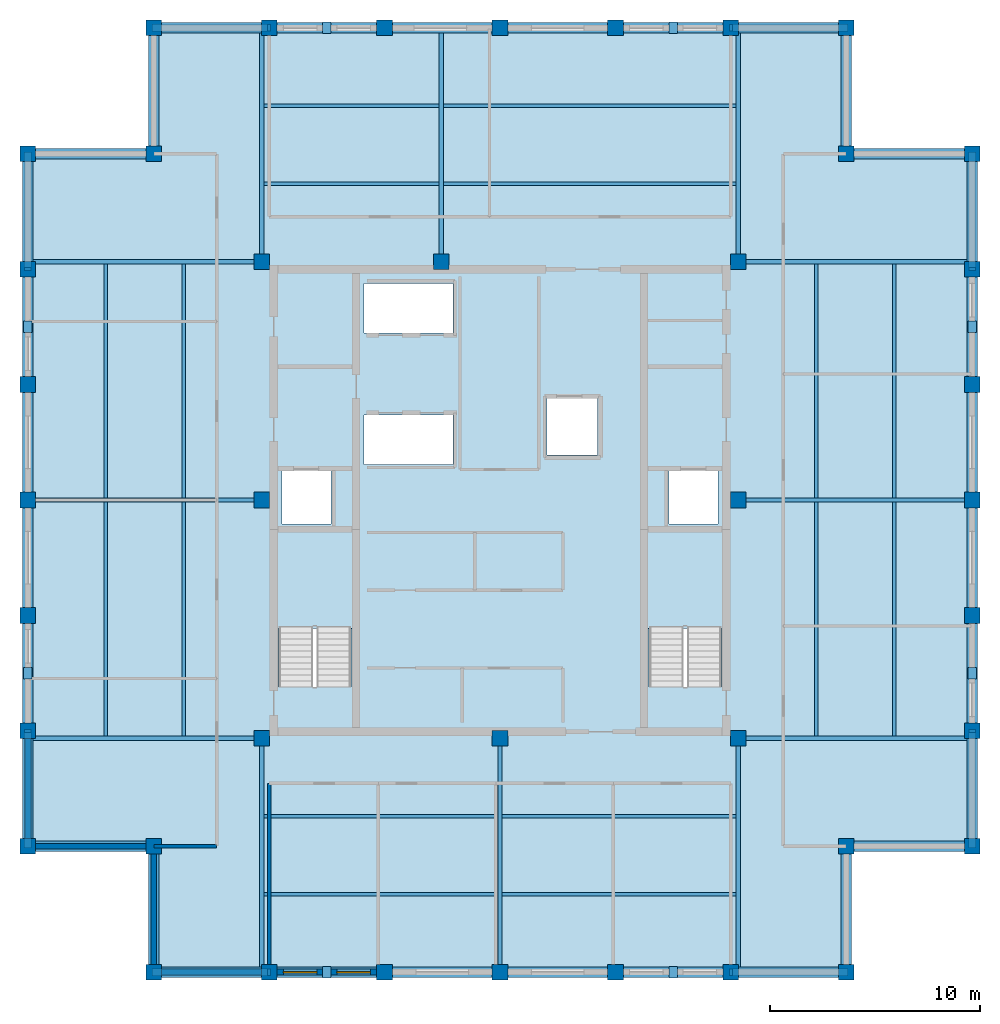
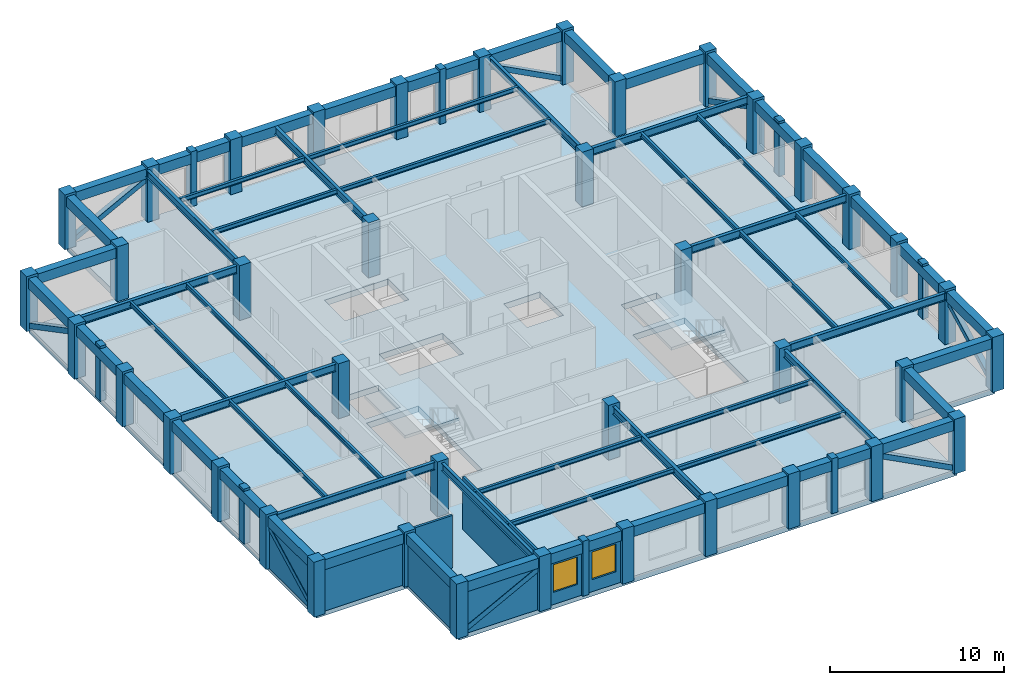
# One storey, part 1 of 6: 60 beams, 40 columns, 16 members, 7 walls, 3 slabs, 2 windows, 2 openings, 2 elements without a shape of their own.
"""IFC4 building model written with IfcOpenShell, lengths in metres."""

from ifc_helpers import new_model, si_unit, direction, frame, frame_2d, origin, origin_2d, place, context, subcontext, project, spatial, polyline, rectangle, hollow_rectangle, i_section, outline, extrude, material, layer, layer_set, material_profile, profile_set, type_object, element, fill, aggregate, save


model = new_model("IFC4")

# Units and contexts
model_context = context("Model", 3, precision=1e-05, world=origin(), true_north=direction((0.0, 1.0)))
body_context = subcontext(model_context, "Body", "Model", "MODEL_VIEW")
ifc_project = project(units=[si_unit("LENGTHUNIT", "METRE"), si_unit("AREAUNIT", "SQUARE_METRE"), si_unit("VOLUMEUNIT", "CUBIC_METRE"), si_unit("PLANEANGLEUNIT", "RADIAN"), si_unit("MASSUNIT", "GRAM", prefix="KILO")], contexts=[model_context])

# Site, building, storey
site_placement = place(None, origin())
site = spatial("IfcSite", under=ifc_project, at=site_placement, CompositionType="ELEMENT")
building_placement = place(site_placement, origin())
building = spatial("IfcBuilding", under=site, at=building_placement, Name="Nhamokura Convention Tower", CompositionType="ELEMENT")
storey_placement = place(building_placement, frame((0.0, 0.0, 266.0)))
storey = spatial("IfcBuildingStorey", under=building, at=storey_placement, Name="L65", CompositionType="ELEMENT", Elevation=266.0)

# Columns
ifc_material_1 = material(Name="Concrete C50/60", Category="concrete")
ifc_material_profile_1 = material_profile(ifc_material_1, rectangle(XDim=0.75, YDim=0.75, at=origin_2d()))
ifc_profile_set_1 = profile_set([ifc_material_profile_1], Name="Concrete C50/60")
column_type = type_object("IfcColumnType", Name="TubeColumn_Z4_750", PredefinedType="COLUMN", material=ifc_profile_set_1)
for number, where, z_axis, x_axis, name in (
    (1, (20.64990234375, 20.64990234375, 0.0), (0.0, 0.0, 1.0), (1.0, 0.0, 0.0), "L65 Core Column CC-SW"),
    (2, (32.0, 20.64990234375, 0.0), (0.0, 0.0, 1.0), (1.0, 0.0, 0.0), "L65 Core Column CC-S"),
    (3, (43.35009765625, 20.64990234375, 0.0), (0.0, 0.0, 1.0), (1.0, 0.0, 0.0), "L65 Core Column CC-SE"),
    (4, (43.35009765625, 32.0, 0.0), (0.0, 0.0, 1.0), (1.0, 0.0, 0.0), "L65 Core Column CC-E"),
    (5, (43.35009765625, 43.35009765625, 0.0), (0.0, 0.0, 1.0), (1.0, 0.0, 0.0), "L65 Core Column CC-NE"),
    (6, (29.199951171875, 43.35009765625, 0.0), (0.0, 0.0, 1.0), (1.0, 0.0, 0.0), "L65 Core Column CC-N"),
    (7, (20.64990234375, 43.35009765625, 0.0), (0.0, 0.0, 1.0), (1.0, 0.0, 0.0), "L65 Core Column CC-NW"),
    (8, (20.64990234375, 32.0, 0.0), (0.0, 0.0, 1.0), (1.0, 0.0, 0.0), "L65 Core Column CC-W"),
    (9, (15.5, 9.5, 0.0), (0.0, 0.0, 1.0), (1.0, 0.0, 0.0), "L65 Perimeter Tube Column SW1"),
    (10, (15.5, 15.5, 0.0), (0.0, 0.0, 1.0), (1.0, 0.0, 0.0), "L65 Perimeter Tube Column SW0"),
    (11, (9.5, 15.5, 0.0), (0.0, 0.0, 1.0), (1.0, 0.0, 0.0), "L65 Perimeter Tube Column SW2"),
    (12, (48.5, 9.5, 0.0), (0.0, 0.0, 1.0), (1.0, 0.0, 0.0), "L65 Perimeter Tube Column SE1"),
    (13, (48.5, 15.5, 0.0), (0.0, 0.0, 1.0), (1.0, 0.0, 0.0), "L65 Perimeter Tube Column SE0"),
    (14, (54.5, 15.5, 0.0), (0.0, 0.0, 1.0), (1.0, 0.0, 0.0), "L65 Perimeter Tube Column SE2"),
    (15, (54.5, 48.5, 0.0), (0.0, 0.0, 1.0), (1.0, 0.0, 0.0), "L65 Perimeter Tube Column NE1"),
    (16, (48.5, 48.5, 0.0), (0.0, 0.0, 1.0), (1.0, 0.0, 0.0), "L65 Perimeter Tube Column NE0"),
    (17, (48.5, 54.5, 0.0), (0.0, 0.0, 1.0), (1.0, 0.0, 0.0), "L65 Perimeter Tube Column NE2"),
    (18, (15.5, 54.5, 0.0), (0.0, 0.0, 1.0), (1.0, 0.0, 0.0), "L65 Perimeter Tube Column NW1"),
    (19, (15.5, 48.5, 0.0), (0.0, 0.0, 1.0), (1.0, 0.0, 0.0), "L65 Perimeter Tube Column NW0"),
    (20, (9.5, 48.5, 0.0), (0.0, 0.0, 1.0), (1.0, 0.0, 0.0), "L65 Perimeter Tube Column NW2"),
    (21, (21.0, 9.5, 0.0), (0.0, 0.0, 1.0), (1.0, 0.0, 0.0), "L65 Perimeter Tube Column S1"),
    (22, (21.0, 54.5, 0.0), (0.0, 0.0, 1.0), (1.0, 0.0, 0.0), "L65 Perimeter Tube Column N1"),
    (23, (9.5, 21.0, 0.0), (0.0, 0.0, 1.0), (1.0, 0.0, 0.0), "L65 Perimeter Tube Column W1"),
    (24, (54.5, 21.0, 0.0), (0.0, 0.0, 1.0), (1.0, 0.0, 0.0), "L65 Perimeter Tube Column E1"),
    (25, (26.5, 9.5, 0.0), (0.0, 0.0, 1.0), (1.0, 0.0, 0.0), "L65 Perimeter Tube Column S2"),
    (26, (26.5, 54.5, 0.0), (0.0, 0.0, 1.0), (1.0, 0.0, 0.0), "L65 Perimeter Tube Column N2"),
    (27, (9.5, 26.5, 0.0), (0.0, 0.0, 1.0), (1.0, 0.0, 0.0), "L65 Perimeter Tube Column W2"),
    (28, (54.5, 26.5, 0.0), (0.0, 0.0, 1.0), (1.0, 0.0, 0.0), "L65 Perimeter Tube Column E2"),
    (29, (32.0, 9.5, 0.0), (0.0, 0.0, 1.0), (1.0, 0.0, 0.0), "L65 Perimeter Tube Column S3"),
    (30, (32.0, 54.5, 0.0), (0.0, 0.0, 1.0), (1.0, 0.0, 0.0), "L65 Perimeter Tube Column N3"),
    (31, (9.5, 32.0, 0.0), (0.0, 0.0, 1.0), (1.0, 0.0, 0.0), "L65 Perimeter Tube Column W3"),
    (32, (54.5, 32.0, 0.0), (0.0, 0.0, 1.0), (1.0, 0.0, 0.0), "L65 Perimeter Tube Column E3"),
    (33, (37.5, 9.5, 0.0), (0.0, 0.0, 1.0), (1.0, 0.0, 0.0), "L65 Perimeter Tube Column S4"),
    (34, (37.5, 54.5, 0.0), (0.0, 0.0, 1.0), (1.0, 0.0, 0.0), "L65 Perimeter Tube Column N4"),
    (35, (9.5, 37.5, 0.0), (0.0, 0.0, 1.0), (1.0, 0.0, 0.0), "L65 Perimeter Tube Column W4"),
    (36, (54.5, 37.5, 0.0), (0.0, 0.0, 1.0), (1.0, 0.0, 0.0), "L65 Perimeter Tube Column E4"),
    (37, (43.0, 9.5, 0.0), (0.0, 0.0, 1.0), (1.0, 0.0, 0.0), "L65 Perimeter Tube Column S5"),
    (38, (43.0, 54.5, 0.0), (0.0, 0.0, 1.0), (1.0, 0.0, 0.0), "L65 Perimeter Tube Column N5"),
    (39, (9.5, 43.0, 0.0), (0.0, 0.0, 1.0), (1.0, 0.0, 0.0), "L65 Perimeter Tube Column W5"),
    (40, (54.5, 43.0, 0.0), (0.0, 0.0, 1.0), (1.0, 0.0, 0.0), "L65 Perimeter Tube Column E5"),
):
    element("IfcColumn", number, at=place(storey_placement, frame(where, z_axis=z_axis, x_axis=x_axis)), inside=storey, type_object=column_type, Name=name, PredefinedType="COLUMN", context=body_context, shape_type="SweptSolid", body=[
        extrude(rectangle(XDim=0.75, YDim=0.75, at=origin_2d()), origin(), (0.0, 0.0, 1.0), 3.85009765625),
    ])

# Members
ifc_material_2 = material(Name="Bronze-pigmented precast concrete C45/55", Category="concrete")
ifc_material_profile_2 = material_profile(ifc_material_2, rectangle(XDim=0.39990234375, YDim=0.550048828125, at=origin_2d()))
ifc_profile_set_2 = profile_set([ifc_material_profile_2], Name="Bronze-pigmented precast concrete C45/55")
member_type_1 = type_object("IfcMemberType", Name="BronzePilaster_550", PredefinedType="USERDEFINED", material=ifc_profile_set_2)
for number, where, z_axis, x_axis, name in (
    (41, (23.75, 9.5, 0.0), (0.0, 0.0, 1.0), (1.0, 0.0, 0.0), "L65 Engaged Frame Pilaster SOUTH 1"),
    (42, (40.25, 9.5, 0.0), (0.0, 0.0, 1.0), (1.0, 0.0, 0.0), "L65 Engaged Frame Pilaster SOUTH 4"),
    (43, (23.75, 54.5, 0.0), (0.0, 0.0, 1.0), (1.0, 0.0, 0.0), "L65 Engaged Frame Pilaster NORTH 1"),
    (44, (40.25, 54.5, 0.0), (0.0, 0.0, 1.0), (1.0, 0.0, 0.0), "L65 Engaged Frame Pilaster NORTH 4"),
    (45, (9.5, 23.75, 0.0), (0.0, 0.0, 1.0), (1.0, 0.0, 0.0), "L65 Engaged Frame Pilaster WEST 1"),
    (46, (9.5, 40.25, 0.0), (0.0, 0.0, 1.0), (1.0, 0.0, 0.0), "L65 Engaged Frame Pilaster WEST 4"),
    (47, (54.5, 23.75, 0.0), (0.0, 0.0, 1.0), (1.0, 0.0, 0.0), "L65 Engaged Frame Pilaster EAST 1"),
    (48, (54.5, 40.25, 0.0), (0.0, 0.0, 1.0), (1.0, 0.0, 0.0), "L65 Engaged Frame Pilaster EAST 4"),
):
    element("IfcMember", number, at=place(storey_placement, frame(where, z_axis=z_axis, x_axis=x_axis)), inside=storey, type_object=member_type_1, Name=name, ObjectType="PILASTER_TRIM", PredefinedType="USERDEFINED", context=body_context, shape_type="SweptSolid", body=[
        extrude(rectangle(XDim=0.39990234375, YDim=0.550048828125, at=origin_2d()), origin(), (0.0, 0.0, 1.0), 3.85009765625),
    ])

# Beams
ifc_material_3 = material(Name="Steel ASTM A992 Gr 50", Category="steel")
ifc_material_profile_3 = material_profile(ifc_material_3, i_section(OverallWidth=0.166015625, OverallDepth=0.31298828125, WebThickness=0.006591796875, FlangeThickness=0.01123046875, at=origin_2d()))
ifc_profile_set_3 = profile_set([ifc_material_profile_3], Name="Steel ASTM A992 Gr 50")
beam_type_1 = type_object("IfcBeamType", Name="FloorJoist_W310X45", PredefinedType="JOIST", material=ifc_profile_set_3)
for number, where, z_axis, x_axis, name in (
    (49, (20.75244140625, 13.216796875, 3.528564453125), (1.0, 0.0, 0.0), (0.0, 1.0, 0.0), "L65 Composite Floor Joist S1A"),
    (50, (32.1025390625, 13.216796875, 3.528564453125), (1.0, 0.0, 0.0), (0.0, 1.0, 0.0), "L65 Composite Floor Joist S1B"),
    (51, (20.75244140625, 16.933349609375, 3.528564453125), (1.0, 0.0, 0.0), (0.0, 1.0, 0.0), "L65 Composite Floor Joist S2A"),
    (52, (32.1025390625, 16.933349609375, 3.528564453125), (1.0, 0.0, 0.0), (0.0, 1.0, 0.0), "L65 Composite Floor Joist S2B"),
):
    element("IfcBeam", number, at=place(storey_placement, frame(where, z_axis=z_axis, x_axis=x_axis)), inside=storey, type_object=beam_type_1, Name=name, PredefinedType="JOIST", context=body_context, shape_type="SweptSolid", body=[
        extrude(i_section(OverallWidth=0.166015625, OverallDepth=0.31298828125, WebThickness=0.006591796875, FlangeThickness=0.01123046875, at=origin_2d()), origin(), (0.0, 0.0, 1.0), 11.14501953125),
    ])
beam_1_placement = place(storey_placement, frame((20.75244140625, 47.066650390625, 3.528564453125), z_axis=(1.0, 0.0, 0.0), x_axis=(0.0, 1.0, 0.0)))
element("IfcBeam", 53, at=beam_1_placement, inside=storey, type_object=beam_type_1, Name="L65 Composite Floor Joist N1A", PredefinedType="JOIST", context=body_context, shape_type="SweptSolid", body=[
    extrude(i_section(OverallWidth=0.166015625, OverallDepth=0.31298828125, WebThickness=0.006591796875, FlangeThickness=0.01123046875, at=origin_2d()), origin(), (0.0, 0.0, 1.0), 8.344970703125),
])
beam_2_placement = place(storey_placement, frame((29.302490234375, 47.066650390625, 3.528564453125), z_axis=(1.0, 0.0, 0.0), x_axis=(0.0, 1.0, 0.0)))
element("IfcBeam", 54, at=beam_2_placement, inside=storey, type_object=beam_type_1, Name="L65 Composite Floor Joist N1B", PredefinedType="JOIST", context=body_context, shape_type="SweptSolid", body=[
    extrude(i_section(OverallWidth=0.166015625, OverallDepth=0.31298828125, WebThickness=0.006591796875, FlangeThickness=0.01123046875, at=origin_2d()), origin(), (0.0, 0.0, 1.0), 13.945068359375),
])
beam_3_placement = place(storey_placement, frame((20.75244140625, 50.783203125, 3.528564453125), z_axis=(1.0, 0.0, 0.0), x_axis=(0.0, 1.0, 0.0)))
element("IfcBeam", 55, at=beam_3_placement, inside=storey, type_object=beam_type_1, Name="L65 Composite Floor Joist N2A", PredefinedType="JOIST", context=body_context, shape_type="SweptSolid", body=[
    extrude(i_section(OverallWidth=0.166015625, OverallDepth=0.31298828125, WebThickness=0.006591796875, FlangeThickness=0.01123046875, at=origin_2d()), origin(), (0.0, 0.0, 1.0), 8.344970703125),
])
beam_4_placement = place(storey_placement, frame((29.302490234375, 50.783203125, 3.528564453125), z_axis=(1.0, 0.0, 0.0), x_axis=(0.0, 1.0, 0.0)))
element("IfcBeam", 56, at=beam_4_placement, inside=storey, type_object=beam_type_1, Name="L65 Composite Floor Joist N2B", PredefinedType="JOIST", context=body_context, shape_type="SweptSolid", body=[
    extrude(i_section(OverallWidth=0.166015625, OverallDepth=0.31298828125, WebThickness=0.006591796875, FlangeThickness=0.01123046875, at=origin_2d()), origin(), (0.0, 0.0, 1.0), 13.945068359375),
])
for number, where, z_axis, x_axis, name in (
    (57, (13.216796875, 20.75244140625, 3.528564453125), (0.0, 1.0, 0.0), (-1.0, 0.0, 0.0), "L65 Composite Floor Joist W1A"),
    (58, (13.216796875, 32.1025390625, 3.528564453125), (0.0, 1.0, 0.0), (-1.0, 0.0, 0.0), "L65 Composite Floor Joist W1B"),
    (59, (16.933349609375, 20.75244140625, 3.528564453125), (0.0, 1.0, 0.0), (-1.0, 0.0, 0.0), "L65 Composite Floor Joist W2A"),
    (60, (16.933349609375, 32.1025390625, 3.528564453125), (0.0, 1.0, 0.0), (-1.0, 0.0, 0.0), "L65 Composite Floor Joist W2B"),
    (61, (47.066650390625, 20.75244140625, 3.528564453125), (0.0, 1.0, 0.0), (-1.0, 0.0, 0.0), "L65 Composite Floor Joist E1A"),
    (62, (47.066650390625, 32.1025390625, 3.528564453125), (0.0, 1.0, 0.0), (-1.0, 0.0, 0.0), "L65 Composite Floor Joist E1B"),
    (63, (50.783203125, 20.75244140625, 3.528564453125), (0.0, 1.0, 0.0), (-1.0, 0.0, 0.0), "L65 Composite Floor Joist E2A"),
    (64, (50.783203125, 32.1025390625, 3.528564453125), (0.0, 1.0, 0.0), (-1.0, 0.0, 0.0), "L65 Composite Floor Joist E2B"),
):
    element("IfcBeam", number, at=place(storey_placement, frame(where, z_axis=z_axis, x_axis=x_axis)), inside=storey, type_object=beam_type_1, Name=name, PredefinedType="JOIST", context=body_context, shape_type="SweptSolid", body=[
        extrude(i_section(OverallWidth=0.166015625, OverallDepth=0.31298828125, WebThickness=0.006591796875, FlangeThickness=0.01123046875, at=origin_2d()), origin(), (0.0, 0.0, 1.0), 11.14501953125),
    ])
ifc_material_4 = material(Name="Steel ASTM A992 Gr 50", Category="steel")
ifc_material_profile_4 = material_profile(ifc_material_4, i_section(OverallWidth=0.208984375, OverallDepth=0.532958984375, WebThickness=0.01025390625, FlangeThickness=0.015625, at=origin_2d()))
ifc_profile_set_4 = profile_set([ifc_material_profile_4], Name="Steel ASTM A992 Gr 50")
beam_type_2 = type_object("IfcBeamType", Name="PrimaryGirder_W530X92", PredefinedType="BEAM", material=ifc_profile_set_4)
for number, where, z_axis, x_axis, name in (
    (65, (20.64990234375, 9.5, 3.41845703125), (0.0, 1.0, 0.0), (-1.0, 0.0, 0.0), "L65 Primary Floor Girder PG-S1"),
    (66, (32.0, 9.5, 3.41845703125), (0.0, 1.0, 0.0), (-1.0, 0.0, 0.0), "L65 Primary Floor Girder PG-S2"),
    (67, (43.35009765625, 9.5, 3.41845703125), (0.0, 1.0, 0.0), (-1.0, 0.0, 0.0), "L65 Primary Floor Girder PG-S3"),
    (68, (20.64990234375, 43.35009765625, 3.41845703125), (0.0, 1.0, 0.0), (-1.0, 0.0, 0.0), "L65 Primary Floor Girder PG-N1"),
    (69, (29.199951171875, 43.35009765625, 3.41845703125), (0.0, 1.0, 0.0), (-1.0, 0.0, 0.0), "L65 Primary Floor Girder PG-N2"),
    (70, (43.35009765625, 43.35009765625, 3.41845703125), (0.0, 1.0, 0.0), (-1.0, 0.0, 0.0), "L65 Primary Floor Girder PG-N3"),
    (71, (9.5, 20.64990234375, 3.41845703125), (1.0, 0.0, 0.0), (0.0, 1.0, 0.0), "L65 Primary Floor Girder PG-W1"),
    (72, (9.5, 32.0, 3.41845703125), (1.0, 0.0, 0.0), (0.0, 1.0, 0.0), "L65 Primary Floor Girder PG-W2"),
    (73, (9.5, 43.35009765625, 3.41845703125), (1.0, 0.0, 0.0), (0.0, 1.0, 0.0), "L65 Primary Floor Girder PG-W3"),
    (74, (43.35009765625, 20.64990234375, 3.41845703125), (1.0, 0.0, 0.0), (0.0, 1.0, 0.0), "L65 Primary Floor Girder PG-E1"),
    (75, (43.35009765625, 32.0, 3.41845703125), (1.0, 0.0, 0.0), (0.0, 1.0, 0.0), "L65 Primary Floor Girder PG-E2"),
    (76, (43.35009765625, 43.35009765625, 3.41845703125), (1.0, 0.0, 0.0), (0.0, 1.0, 0.0), "L65 Primary Floor Girder PG-E3"),
):
    element("IfcBeam", number, at=place(storey_placement, frame(where, z_axis=z_axis, x_axis=x_axis)), inside=storey, type_object=beam_type_2, Name=name, PredefinedType="BEAM", context=body_context, shape_type="SweptSolid", body=[
        extrude(i_section(OverallWidth=0.208984375, OverallDepth=0.532958984375, WebThickness=0.01025390625, FlangeThickness=0.015625, at=origin_2d()), origin(), (0.0, 0.0, 1.0), 11.14990234375),
    ])

# Members
ifc_material_5 = material(Name="Steel ASTM A572 Gr 50", Category="steel")
ifc_material_profile_5 = material_profile(ifc_material_5, hollow_rectangle(XDim=0.35009765625, YDim=0.35009765625, WallThickness=0.01611328125, at=origin_2d()))
ifc_profile_set_5 = profile_set([ifc_material_profile_5], Name="Steel ASTM A572 Gr 50")
member_type_2 = type_object("IfcMemberType", Name="TubeBrace_HSS350", PredefinedType="BRACE", material=ifc_profile_set_5)
for number, where, z_axis, x_axis, name in (
    (77, (15.5, 9.5, 0.14990234375), (0.885562865764, 0.0, 0.464519548328), (0.0, 1.0, 0.0), "L65 Perimeter Tube Brace SOUTH Bay 0"),
    (78, (48.5, 9.5, 0.14990234375), (-0.885562865764, 0.0, 0.464519548328), (0.0, -1.0, 0.0), "L65 Perimeter Tube Brace SOUTH Bay 5"),
    (79, (15.5, 54.5, 0.14990234375), (0.885562865764, 0.0, 0.464519548328), (0.0, 1.0, 0.0), "L65 Perimeter Tube Brace NORTH Bay 0"),
    (80, (48.5, 54.5, 0.14990234375), (-0.885562865764, 0.0, 0.464519548328), (0.0, -1.0, 0.0), "L65 Perimeter Tube Brace NORTH Bay 5"),
    (81, (9.5, 15.5, 0.14990234375), (0.0, 0.885562865764, 0.464519548328), (-1.0, 0.0, 0.0), "L65 Perimeter Tube Brace WEST Bay 0"),
    (82, (9.5, 48.5, 0.14990234375), (0.0, -0.885562865764, 0.464519548328), (1.0, 0.0, 0.0), "L65 Perimeter Tube Brace WEST Bay 5"),
    (83, (54.5, 15.5, 0.14990234375), (0.0, 0.885562865764, 0.464519548328), (-1.0, 0.0, 0.0), "L65 Perimeter Tube Brace EAST Bay 0"),
    (84, (54.5, 48.5, 0.14990234375), (0.0, -0.885562865764, 0.464519548328), (1.0, 0.0, 0.0), "L65 Perimeter Tube Brace EAST Bay 5"),
):
    element("IfcMember", number, at=place(storey_placement, frame(where, z_axis=z_axis, x_axis=x_axis)), inside=storey, type_object=member_type_2, Name=name, PredefinedType="BRACE", context=body_context, shape_type="SweptSolid", body=[
        extrude(hollow_rectangle(XDim=0.35009765625, YDim=0.35009765625, WallThickness=0.01611328125, at=origin_2d()), origin(), (0.0, 0.0, 1.0), 6.210693359375),
    ])

# Beams
ifc_material_6 = material(Name="Concrete C50/60", Category="concrete")
ifc_material_profile_6 = material_profile(ifc_material_6, rectangle(XDim=0.5, YDim=0.699951171875, at=origin_2d()))
ifc_profile_set_6 = profile_set([ifc_material_profile_6], Name="Concrete C50/60")
beam_type_3 = type_object("IfcBeamType", Name="TubeSpandrel_700", PredefinedType="SPANDREL", material=ifc_profile_set_6)
for number, where, z_axis, x_axis, name in (
    (85, (15.5, 9.5, 3.3349609375), (1.0, 0.0, 0.0), (0.0, 1.0, 0.0), "L65 Perimeter Spandrel SOUTH 1"),
    (86, (21.0, 9.5, 3.3349609375), (1.0, 0.0, 0.0), (0.0, 1.0, 0.0), "L65 Perimeter Spandrel SOUTH 2"),
    (87, (26.5, 9.5, 3.3349609375), (1.0, 0.0, 0.0), (0.0, 1.0, 0.0), "L65 Perimeter Spandrel SOUTH 3"),
    (88, (32.0, 9.5, 3.3349609375), (1.0, 0.0, 0.0), (0.0, 1.0, 0.0), "L65 Perimeter Spandrel SOUTH 4"),
    (89, (37.5, 9.5, 3.3349609375), (1.0, 0.0, 0.0), (0.0, 1.0, 0.0), "L65 Perimeter Spandrel SOUTH 5"),
    (90, (43.0, 9.5, 3.3349609375), (1.0, 0.0, 0.0), (0.0, 1.0, 0.0), "L65 Perimeter Spandrel SOUTH 6"),
    (91, (15.5, 54.5, 3.3349609375), (1.0, 0.0, 0.0), (0.0, 1.0, 0.0), "L65 Perimeter Spandrel NORTH 1"),
    (92, (21.0, 54.5, 3.3349609375), (1.0, 0.0, 0.0), (0.0, 1.0, 0.0), "L65 Perimeter Spandrel NORTH 2"),
    (93, (26.5, 54.5, 3.3349609375), (1.0, 0.0, 0.0), (0.0, 1.0, 0.0), "L65 Perimeter Spandrel NORTH 3"),
    (94, (32.0, 54.5, 3.3349609375), (1.0, 0.0, 0.0), (0.0, 1.0, 0.0), "L65 Perimeter Spandrel NORTH 4"),
    (95, (37.5, 54.5, 3.3349609375), (1.0, 0.0, 0.0), (0.0, 1.0, 0.0), "L65 Perimeter Spandrel NORTH 5"),
    (96, (43.0, 54.5, 3.3349609375), (1.0, 0.0, 0.0), (0.0, 1.0, 0.0), "L65 Perimeter Spandrel NORTH 6"),
    (97, (9.5, 15.5, 3.3349609375), (0.0, 1.0, 0.0), (-1.0, 0.0, 0.0), "L65 Perimeter Spandrel WEST 1"),
    (98, (9.5, 21.0, 3.3349609375), (0.0, 1.0, 0.0), (-1.0, 0.0, 0.0), "L65 Perimeter Spandrel WEST 2"),
    (99, (9.5, 26.5, 3.3349609375), (0.0, 1.0, 0.0), (-1.0, 0.0, 0.0), "L65 Perimeter Spandrel WEST 3"),
    (100, (9.5, 32.0, 3.3349609375), (0.0, 1.0, 0.0), (-1.0, 0.0, 0.0), "L65 Perimeter Spandrel WEST 4"),
    (101, (9.5, 37.5, 3.3349609375), (0.0, 1.0, 0.0), (-1.0, 0.0, 0.0), "L65 Perimeter Spandrel WEST 5"),
    (102, (9.5, 43.0, 3.3349609375), (0.0, 1.0, 0.0), (-1.0, 0.0, 0.0), "L65 Perimeter Spandrel WEST 6"),
    (103, (54.5, 15.5, 3.3349609375), (0.0, 1.0, 0.0), (-1.0, 0.0, 0.0), "L65 Perimeter Spandrel EAST 1"),
    (104, (54.5, 21.0, 3.3349609375), (0.0, 1.0, 0.0), (-1.0, 0.0, 0.0), "L65 Perimeter Spandrel EAST 2"),
    (105, (54.5, 26.5, 3.3349609375), (0.0, 1.0, 0.0), (-1.0, 0.0, 0.0), "L65 Perimeter Spandrel EAST 3"),
    (106, (54.5, 32.0, 3.3349609375), (0.0, 1.0, 0.0), (-1.0, 0.0, 0.0), "L65 Perimeter Spandrel EAST 4"),
    (107, (54.5, 37.5, 3.3349609375), (0.0, 1.0, 0.0), (-1.0, 0.0, 0.0), "L65 Perimeter Spandrel EAST 5"),
    (108, (54.5, 43.0, 3.3349609375), (0.0, 1.0, 0.0), (-1.0, 0.0, 0.0), "L65 Perimeter Spandrel EAST 6"),
):
    element("IfcBeam", number, at=place(storey_placement, frame(where, z_axis=z_axis, x_axis=x_axis)), inside=storey, type_object=beam_type_3, Name=name, PredefinedType="SPANDREL", context=body_context, shape_type="SweptSolid", body=[
        extrude(rectangle(XDim=0.5, YDim=0.699951171875, at=origin_2d()), origin(), (0.0, 0.0, 1.0), 5.5),
    ])
for number, where, z_axis, x_axis, name in (
    (109, (15.5, 9.5, 3.3349609375), (0.0, 1.0, 0.0), (-1.0, 0.0, 0.0), "L65 Notch Spandrel SW1"),
    (110, (15.5, 15.5, 3.3349609375), (-1.0, 0.0, 0.0), (0.0, -1.0, 0.0), "L65 Notch Spandrel SW2"),
    (111, (48.5, 9.5, 3.3349609375), (0.0, 1.0, 0.0), (-1.0, 0.0, 0.0), "L65 Notch Spandrel SE1"),
    (112, (48.5, 15.5, 3.3349609375), (1.0, 0.0, 0.0), (0.0, 1.0, 0.0), "L65 Notch Spandrel SE2"),
    (113, (54.5, 48.5, 3.3349609375), (-1.0, 0.0, 0.0), (0.0, -1.0, 0.0), "L65 Notch Spandrel NE1"),
    (114, (48.5, 48.5, 3.3349609375), (0.0, 1.0, 0.0), (-1.0, 0.0, 0.0), "L65 Notch Spandrel NE2"),
    (115, (15.5, 54.5, 3.3349609375), (0.0, -1.0, 0.0), (1.0, 0.0, 0.0), "L65 Notch Spandrel NW1"),
    (116, (15.5, 48.5, 3.3349609375), (-1.0, 0.0, 0.0), (0.0, -1.0, 0.0), "L65 Notch Spandrel NW2"),
):
    element("IfcBeam", number, at=place(storey_placement, frame(where, z_axis=z_axis, x_axis=x_axis)), inside=storey, type_object=beam_type_3, Name=name, PredefinedType="SPANDREL", context=body_context, shape_type="SweptSolid", body=[
        extrude(rectangle(XDim=0.5, YDim=0.699951171875, at=origin_2d()), origin(), (0.0, 0.0, 1.0), 6.0),
    ])

# Stair, slab
ifc_material_7 = material(Name="Concrete C40/50", Category="concrete")
stair_type = type_object("IfcStairType", Name="TowerCoreStair_1650", PredefinedType="HALF_TURN_STAIR", material=ifc_material_7)
stair_1_placement = place(storey_placement, origin())
stair_1 = element("IfcStair", 117, at=stair_1_placement, inside=storey, type_object=stair_type, Name="L65 West Core Smokeproof Stair ST-01", PredefinedType="HALF_TURN_STAIR")
ifc_material_8 = material(Name="Concrete C40/50", Category="concrete")
ifc_layer_1 = layer(ifc_material_8, 0.199951171875)
ifc_layer_set_1 = layer_set([ifc_layer_1], Name="StairLandingSlab_200")
slab_type_1 = type_object("IfcSlabType", Name="StairLandingSlab_200", PredefinedType="LANDING", material=ifc_layer_set_1)
slab_1_placement = place(storey_placement, frame((0.0, 0.0, 1.72509765625)))
slab_1 = element("IfcSlab", 118, at=slab_1_placement, type_object=slab_type_1, Name="ST-01 landing 1", PredefinedType="LANDING", context=body_context, shape_type="SweptSolid", body=[
    extrude(outline(polyline([(24.97998046875, 25.8701171875), (24.97998046875, 30.530029296875), (21.3701171875, 30.530029296875), (21.3701171875, 25.8701171875), (24.97998046875, 25.8701171875)])), origin(), (0.0, 0.0, 1.0), 0.199951171875),
])
aggregate(stair_1, [slab_1])

stair_2_placement = place(storey_placement, origin())
stair_2 = element("IfcStair", 119, at=stair_2_placement, inside=storey, type_object=stair_type, Name="L65 East Core Smokeproof Stair ST-02", PredefinedType="HALF_TURN_STAIR")
slab_2_placement = place(storey_placement, frame((0.0, 0.0, 1.72509765625)))
slab_2 = element("IfcSlab", 120, at=slab_2_placement, type_object=slab_type_1, Name="ST-02 landing 1", PredefinedType="LANDING", context=body_context, shape_type="SweptSolid", body=[
    extrude(outline(polyline([(42.6298828125, 25.8701171875), (42.6298828125, 30.530029296875), (39.02001953125, 30.530029296875), (39.02001953125, 25.8701171875), (42.6298828125, 25.8701171875)])), origin(), (0.0, 0.0, 1.0), 0.199951171875),
])
aggregate(stair_2, [slab_2])

# Slab
ifc_material_9 = material(Name="Concrete C50/60", Category="concrete")
ifc_layer_2 = layer(ifc_material_9, 0.419921875)
ifc_layer_set_2 = layer_set([ifc_layer_2], Name="TransferDeckSlab_380")
slab_type_2 = type_object("IfcSlabType", Name="TransferDeckSlab_380", PredefinedType="FLOOR", material=ifc_layer_set_2)
slab_3_placement = place(storey_placement, frame((0.0, 0.0, -0.419921875)))
element("IfcSlab", 121, at=slab_3_placement, inside=storey, type_object=slab_type_2, Name="L65 Structural Floor Slab", PredefinedType="FLOOR", context=body_context, shape_type="SweptSolid", body=[
    extrude(outline(polyline([(15.5, 9.5), (48.5, 9.5), (48.5, 15.5), (54.5, 15.5), (54.5, 48.5), (48.5, 48.5), (48.5, 54.5), (15.5, 54.5), (15.5, 48.5), (9.5, 48.5), (9.5, 15.5), (15.5, 15.5), (15.5, 9.5)]), holes=[polyline([(24.89990234375, 23.10009765625), (24.89990234375, 30.449951171875), (21.449951171875, 30.449951171875), (21.449951171875, 23.10009765625), (24.89990234375, 23.10009765625)]), polyline([(42.550048828125, 23.10009765625), (42.550048828125, 30.449951171875), (39.10009765625, 30.449951171875), (39.10009765625, 23.10009765625), (42.550048828125, 23.10009765625)]), polyline([(21.60009765625, 30.85009765625), (23.949951171875, 30.85009765625), (23.949951171875, 33.39990234375), (21.60009765625, 33.39990234375), (21.60009765625, 30.85009765625)]), polyline([(40.050048828125, 30.85009765625), (42.39990234375, 30.85009765625), (42.39990234375, 33.39990234375), (40.050048828125, 33.39990234375), (40.050048828125, 30.85009765625)]), polyline([(34.25, 34.14990234375), (36.64990234375, 34.14990234375), (36.64990234375, 36.85009765625), (34.25, 36.85009765625), (34.25, 34.14990234375)]), polyline([(25.52001953125, 33.679931640625), (29.75, 33.679931640625), (29.75, 36.050048828125), (25.52001953125, 36.050048828125), (25.52001953125, 33.679931640625)]), polyline([(25.52001953125, 39.949951171875), (29.75, 39.949951171875), (29.75, 42.320068359375), (25.52001953125, 42.320068359375), (25.52001953125, 39.949951171875)])]), origin(), (0.0, 0.0, 1.0), 0.419921875),
])

# Wall
ifc_material_10 = material(Name="Bronze-pigmented precast concrete C45/55", Category="concrete")
ifc_layer_3 = layer(ifc_material_10, 0.280029296875)
ifc_layer_set_3 = layer_set([ifc_layer_3], Name="BronzePrecastSpandrel_280")
wall_type_1 = type_object("IfcWallType", Name="BronzePrecastSpandrel_280", PredefinedType="USERDEFINED", material=ifc_layer_set_3)
wall_1_placement = place(storey_placement, frame((21.0, 9.5, 0.0), z_axis=(0.0, 0.0, 1.0), x_axis=(-1.0, 0.0, 0.0)))
element("IfcWall", 122, at=wall_1_placement, inside=storey, type_object=wall_type_1, Name="L65 Braced-Bay Precast Wall SOUTH 0", ObjectType="SPANDREL_WALL", PredefinedType="USERDEFINED", context=body_context, shape_type="SweptSolid", body=[
    extrude(rectangle(XDim=5.5, YDim=0.280029296875, at=frame_2d((2.75, 0.0))), origin(), (0.0, 0.0, 1.0), 2.985107421875),
])

# Wall, openings, windows
wall_2_placement = place(storey_placement, frame((26.5, 9.5, 0.0), z_axis=(0.0, 0.0, 1.0), x_axis=(-1.0, 0.0, 0.0)))
wall_2 = element("IfcWall", 123, at=wall_2_placement, inside=storey, type_object=wall_type_1, Name="L65 Masonry-Frame Wall SOUTH 1", ObjectType="SPANDREL_WALL", PredefinedType="USERDEFINED", context=body_context, shape_type="SweptSolid", body=[
    extrude(rectangle(XDim=5.5, YDim=0.280029296875, at=frame_2d((2.75, 0.0))), origin(), (0.0, 0.0, 1.0), 2.985107421875),
])
opening_1_placement = place(wall_2_placement, frame((0.675048828125, 0.0, 0.85009765625)))
opening_1 = element("IfcOpeningElement", 124, at=opening_1_placement, cuts=wall_2, Name="Opening W-11", PredefinedType="OPENING", context=body_context, shape_type="SweptSolid", body=[
    extrude(rectangle(XDim=1.60009765625, YDim=1.93505859375, at=frame_2d((0.800048828125, 0.967529296875))), frame((0.0, 0.14990234375, 0.0), z_axis=(0.0, -1.0, 0.0), x_axis=(1.0, 0.0, 0.0)), (0.0, 0.0, 1.0), 0.300048828125),
])
opening_2_placement = place(wall_2_placement, frame((3.22509765625, 0.0, 0.85009765625)))
opening_2 = element("IfcOpeningElement", 125, at=opening_2_placement, cuts=wall_2, Name="Opening W-11", PredefinedType="OPENING", context=body_context, shape_type="SweptSolid", body=[
    extrude(rectangle(XDim=1.60009765625, YDim=1.93505859375, at=frame_2d((0.800048828125, 0.967529296875))), frame((0.0, 0.14990234375, 0.0), z_axis=(0.0, -1.0, 0.0), x_axis=(1.0, 0.0, 0.0)), (0.0, 0.0, 1.0), 0.300048828125),
])
ifc_material_11 = material(Name="Solar-control bronze low-E double glass", Category="glass")
window_type = type_object("IfcWindowType", Name="NotchCornerWindow_1600", PartitioningType="SINGLE_PANEL", PredefinedType="WINDOW", material=ifc_material_11)
window_1_placement = place(opening_1_placement, origin())
window_1 = element("IfcWindow", 126, at=window_1_placement, inside=storey, type_object=window_type, Name="L65 Facade Window SOUTH 1-1", OverallHeight=1.93505859375, OverallWidth=1.60009765625, PartitioningType="SINGLE_PANEL", PredefinedType="WINDOW", context=body_context, shape_type="SweptSolid", body=[
    extrude(rectangle(XDim=1.60009765625, YDim=1.93505859375, at=frame_2d((0.800048828125, 0.967529296875))), frame((0.0, 0.030029296875, 0.0), z_axis=(0.0, -1.0, 0.0), x_axis=(1.0, 0.0, 0.0)), (0.0, 0.0, 1.0), 0.06005859375),
])
fill(opening_1, window_1)
window_2_placement = place(opening_2_placement, origin())
window_2 = element("IfcWindow", 127, at=window_2_placement, inside=storey, type_object=window_type, Name="L65 Facade Window SOUTH 1-2", OverallHeight=1.93505859375, OverallWidth=1.60009765625, PartitioningType="SINGLE_PANEL", PredefinedType="WINDOW", context=body_context, shape_type="SweptSolid", body=[
    extrude(rectangle(XDim=1.60009765625, YDim=1.93505859375, at=frame_2d((0.800048828125, 0.967529296875))), frame((0.0, 0.030029296875, 0.0), z_axis=(0.0, -1.0, 0.0), x_axis=(1.0, 0.0, 0.0)), (0.0, 0.0, 1.0), 0.06005859375),
])
fill(opening_2, window_2)

# Walls
wall_3_placement = place(storey_placement, frame((9.5, 15.5, 0.0), z_axis=(0.0, 0.0, 1.0), x_axis=(0.0, 1.0, 0.0)))
element("IfcWall", 128, at=wall_3_placement, inside=storey, type_object=wall_type_1, Name="L65 Braced-Bay Precast Wall WEST 0", ObjectType="SPANDREL_WALL", PredefinedType="USERDEFINED", context=body_context, shape_type="SweptSolid", body=[
    extrude(rectangle(XDim=5.5, YDim=0.280029296875, at=frame_2d((2.75, 0.0))), origin(), (0.0, 0.0, 1.0), 2.985107421875),
])
for number, where, z_axis, x_axis, name in (
    (129, (15.5, 9.5, 0.0), (0.0, 0.0, 1.0), (0.0, 1.0, 0.0), "L65 Notched Corner Wall SW1"),
    (130, (15.5, 15.5, 0.0), (0.0, 0.0, 1.0), (-1.0, 0.0, 0.0), "L65 Notched Corner Wall SW2"),
):
    element("IfcWall", number, at=place(storey_placement, frame(where, z_axis=z_axis, x_axis=x_axis)), inside=storey, type_object=wall_type_1, Name=name, ObjectType="SPANDREL_WALL", PredefinedType="USERDEFINED", context=body_context, shape_type="SweptSolid", body=[
        extrude(rectangle(XDim=6.0, YDim=0.280029296875, at=frame_2d((3.0, 0.0))), origin(), (0.0, 0.0, 1.0), 2.985107421875),
    ])
ifc_material_12 = material(Name="Acoustic gypsum stud partition", Category="masonry")
ifc_layer_4 = layer(ifc_material_12, 0.14990234375)
ifc_layer_set_4 = layer_set([ifc_layer_4], Name="InteriorPartition_150")
wall_type_2 = type_object("IfcWallType", Name="InteriorPartition_150", PredefinedType="STANDARD", material=ifc_layer_set_4)
wall_4_placement = place(storey_placement, frame((21.0, 9.56005859375, 0.0), z_axis=(0.0, 0.0, 1.0), x_axis=(0.0, 1.0, 0.0)))
element("IfcWall", 131, at=wall_4_placement, inside=storey, type_object=wall_type_2, Name="L65 Wall INT-L65-RWL-S", PredefinedType="STANDARD", context=body_context, shape_type="SweptSolid", body=[
    extrude(rectangle(XDim=8.93994140625, YDim=0.14990234375, at=frame_2d((4.469970703125, 0.0))), origin(), (0.0, 0.0, 1.0), 3.68505859375),
])
wall_5_placement = place(storey_placement, frame((15.5, 15.5, 0.0), z_axis=(0.0, 0.0, 1.0), x_axis=(1.0, 0.0, 0.0)))
element("IfcWall", 132, at=wall_5_placement, inside=storey, type_object=wall_type_2, Name="L65 Wall INT-L65-VSTP-WS", PredefinedType="STANDARD", context=body_context, shape_type="SweptSolid", body=[
    extrude(rectangle(XDim=3.0, YDim=0.14990234375, at=frame_2d((1.5, 0.0))), origin(), (0.0, 0.0, 1.0), 3.68505859375),
])

save(model, "model.ifc")
